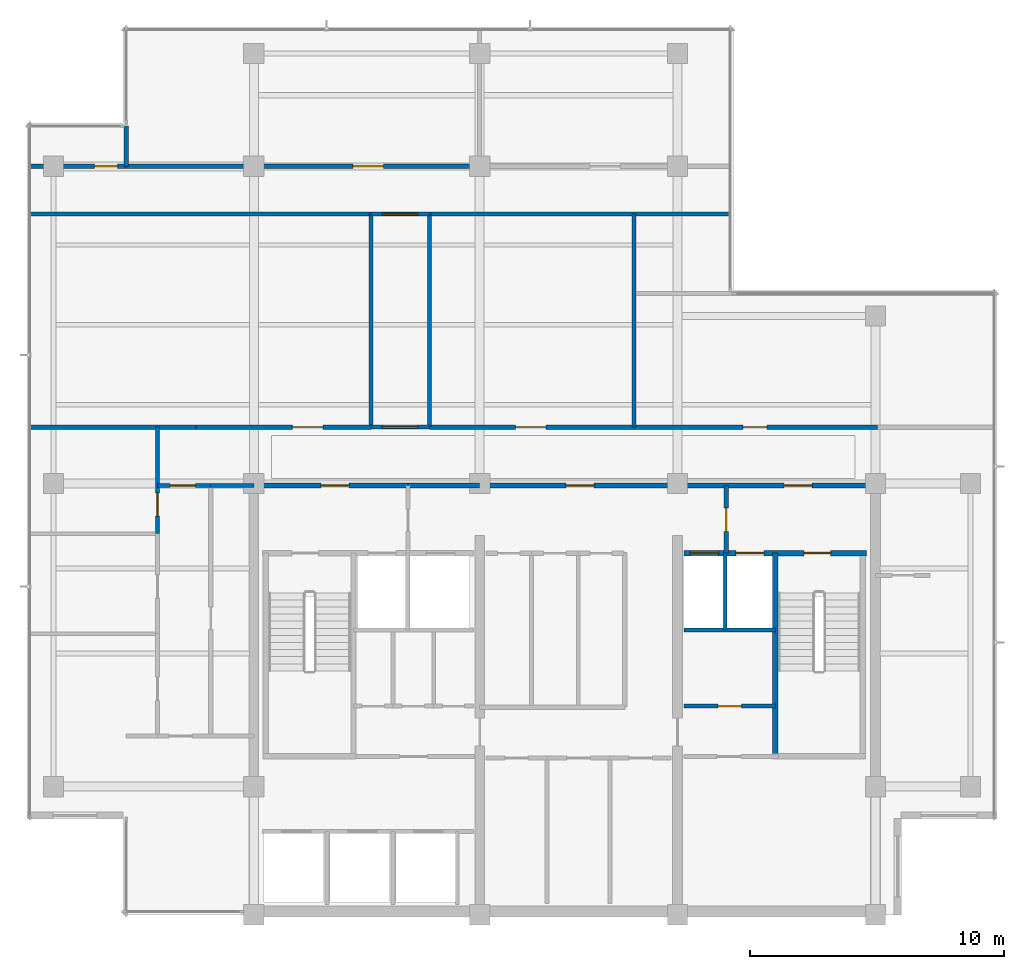
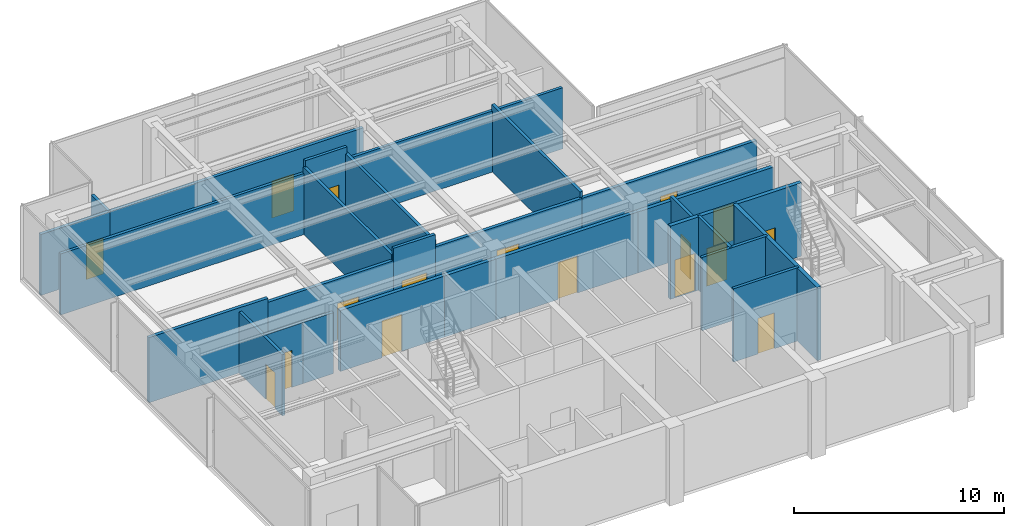
# One storey, part 7 of 11: 27 walls, 17 doors, 17 openings.
"""IFC4 building model written with IfcOpenShell, lengths in metres."""

from ifc_helpers import new_model, si_unit, direction, frame, frame_2d, origin, place, context, subcontext, project, spatial, rectangle, extrude, material, layer, layer_set, type_object, element, fill, save


model = new_model("IFC4")

# Units and contexts
model_context = context("Model", 3, precision=1e-05, world=origin(), true_north=direction((0.0, 1.0)))
body_context = subcontext(model_context, "Body", "Model", "MODEL_VIEW")
ifc_project = project(units=[si_unit("LENGTHUNIT", "METRE"), si_unit("AREAUNIT", "SQUARE_METRE"), si_unit("VOLUMEUNIT", "CUBIC_METRE"), si_unit("PLANEANGLEUNIT", "RADIAN"), si_unit("MASSUNIT", "GRAM", prefix="KILO")], contexts=[model_context])

# Site, building, storey
site_placement = place(None, origin())
site = spatial("IfcSite", under=ifc_project, at=site_placement, CompositionType="ELEMENT")
building_placement = place(site_placement, origin())
building = spatial("IfcBuilding", under=site, at=building_placement, Name="Qalmaran Belvedere Hotel", CompositionType="ELEMENT")
storey_placement = place(building_placement, frame((0.0, 0.0, 280.89990234375)))
storey = spatial("IfcBuildingStorey", under=building, at=storey_placement, Name="L73", CompositionType="ELEMENT", Elevation=280.89990234375)

# Wall
ifc_material_1 = material(Name="Gypsum Stud Partition")
ifc_layer_1 = layer(ifc_material_1, 0.14990234375, Name="Gypsum Stud Partition")
ifc_layer_set_1 = layer_set([ifc_layer_1], Name="Gypsum Stud Partition")
wall_type_1 = type_object("IfcWallType", Name="WL-INT-150-EI120", PredefinedType="PARTITIONING", material=ifc_layer_set_1)
wall_1_placement = place(storey_placement, frame((38.8798828125, 14.719970703125, 0.0), z_axis=(0.0, 0.0, 1.0), x_axis=(0.0, 1.0, 0.0)))
element("IfcWall", 1, at=wall_1_placement, inside=storey, type_object=wall_type_1, Name="L73 Partition WL-FF2M-L73", PredefinedType="PARTITIONING", context=body_context, shape_type="SweptSolid", body=[
    extrude(rectangle(XDim=3.0400390625, YDim=0.14990234375, at=frame_2d((1.52001953125, 0.0))), origin(), (0.0, 0.0, 1.0), 4.260009765625),
])

# Wall, opening, door
ifc_layer_2 = layer(ifc_material_1, 0.159912109375, Name="Gypsum Stud Partition")
ifc_layer_set_2 = layer_set([ifc_layer_2], Name="Gypsum Stud Partition")
wall_type_2 = type_object("IfcWallType", Name="WL-INT-160-EI120", PredefinedType="PARTITIONING", material=ifc_layer_set_2)
wall_2_placement = place(storey_placement, frame((38.919921875, 17.760009765625, 0.0), z_axis=(0.0, 0.0, 1.0), x_axis=(0.0, 1.0, 0.0)))
wall_2 = element("IfcWall", 2, at=wall_2_placement, inside=storey, type_object=wall_type_2, Name="L73 Partition WL-FFSV2-L73", PredefinedType="PARTITIONING", context=body_context, shape_type="SweptSolid", body=[
    extrude(rectangle(XDim=2.659912109375, YDim=0.159912109375, at=frame_2d((1.330078125, 0.0))), origin(), (0.0, 0.0, 1.0), 3.781982421875),
])
opening_1_placement = place(wall_2_placement, frame((1.77001953125, 0.0, 0.0), z_axis=(0.0, 0.0, 1.0), x_axis=(-1.0, 0.0, 0.0)))
opening_1 = element("IfcOpeningElement", 3, at=opening_1_placement, cuts=wall_2, Name="Opening FD60S1", PredefinedType="OPENING", context=body_context, shape_type="SweptSolid", body=[
    extrude(rectangle(XDim=0.919921875, YDim=2.080078125, at=frame_2d((0.4599609375, 1.0400390625))), frame((0.0, 0.08984375, 0.0), z_axis=(0.0, -1.0, 0.0), x_axis=(1.0, 0.0, 0.0)), (0.0, 0.0, 1.0), 0.179931640625),
])
ifc_material_2 = material(Name="Engineered Oak Veneer")
door_type_1 = type_object("IfcDoorType", Name="DR-FD60S-920X2080", OperationType="NOTDEFINED", PredefinedType="DOOR", material=ifc_material_2)
door_1_placement = place(opening_1_placement, origin())
door_1 = element("IfcDoor", 4, at=door_1_placement, inside=storey, type_object=door_type_1, Name="L73 Service Lobby East Door", OperationType="SINGLE_SWING_LEFT", OverallHeight=2.080078125, OverallWidth=0.919921875, PredefinedType="DOOR", context=body_context, shape_type="SweptSolid", body=[
    extrude(rectangle(XDim=0.919921875, YDim=2.080078125, at=frame_2d((0.4599609375, 1.0400390625))), frame((0.0, 0.02490234375, 0.0), z_axis=(0.0, -1.0, 0.0), x_axis=(1.0, 0.0, 0.0)), (0.0, 0.0, 1.0), 0.050048828125),
])
fill(opening_1, door_1)

# Wall
wall_3_placement = place(storey_placement, frame((37.25, 14.719970703125, 0.0), z_axis=(0.0, 0.0, 1.0), x_axis=(1.0, 0.0, 0.0)))
element("IfcWall", 5, at=wall_3_placement, inside=storey, type_object=wall_type_2, Name="L73 Partition WL-FF2S-L73", PredefinedType="PARTITIONING", context=body_context, shape_type="SweptSolid", body=[
    extrude(rectangle(XDim=3.610107421875, YDim=0.159912109375, at=frame_2d((1.80517578125, 0.0))), origin(), (0.0, 0.0, 1.0), 4.260009765625),
])

# Wall, opening, door
ifc_layer_3 = layer(ifc_material_1, 0.159912109375, Name="Gypsum Stud Partition")
ifc_layer_set_3 = layer_set([ifc_layer_3], Name="Gypsum Stud Partition")
wall_type_3 = type_object("IfcWallType", Name="WL-INT-160-EI60", PredefinedType="PARTITIONING", material=ifc_layer_set_3)
wall_4_placement = place(storey_placement, frame((37.25, 11.719970703125, 0.0), z_axis=(0.0, 0.0, 1.0), x_axis=(1.0, 0.0, 0.0)))
wall_4 = element("IfcWall", 6, at=wall_4_placement, inside=storey, type_object=wall_type_3, Name="L73 Partition WL-L73-KEE1", PredefinedType="PARTITIONING", context=body_context, shape_type="SweptSolid", body=[
    extrude(rectangle(XDim=3.610107421875, YDim=0.159912109375, at=frame_2d((1.80517578125, 0.0))), origin(), (0.0, 0.0, 1.0), 4.260009765625),
])
opening_2_placement = place(wall_4_placement, frame((1.344970703125, 0.0, 0.0)))
opening_2 = element("IfcOpeningElement", 7, at=opening_2_placement, cuts=wall_4, Name="Opening FD60S1", PredefinedType="OPENING", context=body_context, shape_type="SweptSolid", body=[
    extrude(rectangle(XDim=0.919921875, YDim=2.080078125, at=frame_2d((0.4599609375, 1.0400390625))), frame((0.0, 0.08984375, 0.0), z_axis=(0.0, -1.0, 0.0), x_axis=(1.0, 0.0, 0.0)), (0.0, 0.0, 1.0), 0.179931640625),
])
door_2_placement = place(opening_2_placement, origin())
door_2 = element("IfcDoor", 8, at=door_2_placement, inside=storey, type_object=door_type_1, Name="L73 Guest Ice and Beverage Pantry Door", OperationType="SINGLE_SWING_RIGHT", OverallHeight=2.080078125, OverallWidth=0.919921875, PredefinedType="DOOR", context=body_context, shape_type="SweptSolid", body=[
    extrude(rectangle(XDim=0.919921875, YDim=2.080078125, at=frame_2d((0.4599609375, 1.0400390625))), frame((0.0, 0.02490234375, 0.0), z_axis=(0.0, -1.0, 0.0), x_axis=(1.0, 0.0, 0.0)), (0.0, 0.0, 1.0), 0.050048828125),
])
fill(opening_2, door_2)

wall_5_placement = place(storey_placement, frame((16.5, 18.52001953125, 0.0), z_axis=(0.0, 0.0, 1.0), x_axis=(0.0, 1.0, 0.0)))
wall_5 = element("IfcWall", 9, at=wall_5_placement, inside=storey, type_object=wall_type_3, Name="L73 Partition WL-L73-WCC3", PredefinedType="PARTITIONING", context=body_context, shape_type="SweptSolid", body=[
    extrude(rectangle(XDim=4.199951171875, YDim=0.159912109375, at=frame_2d((2.10009765625, 0.0))), origin(), (0.0, 0.0, 1.0), 3.550048828125),
])
opening_3_placement = place(wall_5_placement, frame((0.693359375, 0.0, 0.0)))
opening_3 = element("IfcOpeningElement", 10, at=opening_3_placement, cuts=wall_5, Name="Opening FD60S1", PredefinedType="OPENING", context=body_context, shape_type="SweptSolid", body=[
    extrude(rectangle(XDim=0.919921875, YDim=2.080078125, at=frame_2d((0.4599609375, 1.0400390625))), frame((0.0, 0.08984375, 0.0), z_axis=(0.0, -1.0, 0.0), x_axis=(1.0, 0.0, 0.0)), (0.0, 0.0, 1.0), 0.179931640625),
])
door_3_placement = place(opening_3_placement, origin())
door_3 = element("IfcDoor", 11, at=door_3_placement, inside=storey, type_object=door_type_1, Name="L73 Accessible WC Door", OperationType="SINGLE_SWING_RIGHT", OverallHeight=2.080078125, OverallWidth=0.919921875, PredefinedType="DOOR", context=body_context, shape_type="SweptSolid", body=[
    extrude(rectangle(XDim=0.919921875, YDim=2.080078125, at=frame_2d((0.4599609375, 1.0400390625))), frame((0.0, 0.02490234375, 0.0), z_axis=(0.0, -1.0, 0.0), x_axis=(1.0, 0.0, 0.0)), (0.0, 0.0, 1.0), 0.050048828125),
])
fill(opening_3, door_3)

# Wall
wall_6_placement = place(storey_placement, frame((18.60009765625, 20.419921875, 0.0), z_axis=(0.0, 0.0, 1.0), x_axis=(1.0, 0.0, 0.0)))
element("IfcWall", 12, at=wall_6_placement, inside=storey, type_object=wall_type_3, Name="L73 Partition WL-L73-WCCEN", PredefinedType="PARTITIONING", context=body_context, shape_type="SweptSolid", body=[
    extrude(rectangle(XDim=1.699951171875, YDim=0.159912109375, at=frame_2d((0.85009765625, 0.0))), origin(), (0.0, 0.0, 1.0), 3.550048828125),
])

# Wall, opening, door
wall_7_placement = place(storey_placement, frame((16.5, 20.419921875, 0.0), z_axis=(0.0, 0.0, 1.0), x_axis=(1.0, 0.0, 0.0)))
wall_7 = element("IfcWall", 13, at=wall_7_placement, inside=storey, type_object=wall_type_3, Name="L73 Partition WL-L73-XCRW", PredefinedType="PARTITIONING", context=body_context, shape_type="SweptSolid", body=[
    extrude(rectangle(XDim=2.10009765625, YDim=0.159912109375, at=frame_2d((1.050048828125, 0.0))), origin(), (0.0, 0.0, 1.0), 3.550048828125),
])
opening_4_placement = place(wall_7_placement, frame((0.5, 0.0, 0.0)))
opening_4 = element("IfcOpeningElement", 14, at=opening_4_placement, cuts=wall_7, Name="Opening FD90B", PredefinedType="OPENING", context=body_context, shape_type="SweptSolid", body=[
    extrude(rectangle(XDim=1.0, YDim=2.14990234375, at=frame_2d((0.5, 1.074951171875))), frame((0.0, 0.08984375, 0.0), z_axis=(0.0, -1.0, 0.0), x_axis=(1.0, 0.0, 0.0)), (0.0, 0.0, 1.0), 0.179931640625),
])
ifc_material_3 = material(Name="Steel S355JR", Category="steel")
door_type_2 = type_object("IfcDoorType", Name="DR-FD90B-1000X2150", OperationType="NOTDEFINED", PredefinedType="DOOR", material=ifc_material_3)
door_4_placement = place(opening_4_placement, origin())
door_4 = element("IfcDoor", 15, at=door_4_placement, inside=storey, type_object=door_type_2, Name="L73 Restroom Corridor Door", OperationType="SINGLE_SWING_RIGHT", OverallHeight=2.14990234375, OverallWidth=1.0, PredefinedType="DOOR", context=body_context, shape_type="SweptSolid", body=[
    extrude(rectangle(XDim=1.0, YDim=2.14990234375, at=frame_2d((0.5, 1.074951171875))), frame((0.0, 0.02490234375, 0.0), z_axis=(0.0, -1.0, 0.0), x_axis=(1.0, 0.0, 0.0)), (0.0, 0.0, 1.0), 0.050048828125),
])
fill(opening_4, door_4)

# Walls
wall_8_placement = place(storey_placement, frame((15.27001953125, 33.0, 0.0), z_axis=(0.0, 0.0, 1.0), x_axis=(0.0, 1.0, 0.0)))
element("IfcWall", 16, at=wall_8_placement, inside=storey, type_object=wall_type_3, Name="L73 Partition WL-L73-VNWE", PredefinedType="PARTITIONING", context=body_context, shape_type="SweptSolid", body=[
    extrude(rectangle(XDim=1.580078125, YDim=0.159912109375, at=frame_2d((0.7900390625, 0.0))), origin(), (0.0, 0.0, 1.0), 3.550048828125),
])
for number, where, z_axis, x_axis, name in (
    (17, (24.919921875, 22.719970703125, 0.0), (0.0, 0.0, 1.0), (0.0, 1.0, 0.0), "L73 Partition WL-L73-NPW"),
    (18, (27.219970703125, 22.719970703125, 0.0), (0.0, 0.0, 1.0), (0.0, 1.0, 0.0), "L73 Partition WL-L73-NPE"),
):
    element("IfcWall", number, at=place(storey_placement, frame(where, z_axis=z_axis, x_axis=x_axis)), inside=storey, type_object=wall_type_3, Name=name, PredefinedType="PARTITIONING", context=body_context, shape_type="SweptSolid", body=[
        extrude(rectangle(XDim=8.400146484375, YDim=0.159912109375, at=frame_2d((4.2001953125, 0.0))), origin(), (0.0, 0.0, 1.0), 3.88720703125),
    ])

# Wall, opening, door
wall_9_placement = place(storey_placement, frame((24.919921875, 22.719970703125, 0.0), z_axis=(0.0, 0.0, 1.0), x_axis=(1.0, 0.0, 0.0)))
wall_9 = element("IfcWall", 19, at=wall_9_placement, inside=storey, type_object=wall_type_3, Name="L73 Partition WL-L73-XNPS", PredefinedType="PARTITIONING", context=body_context, shape_type="SweptSolid", body=[
    extrude(rectangle(XDim=2.300048828125, YDim=0.159912109375, at=frame_2d((1.14990234375, 0.0))), origin(), (0.0, 0.0, 1.0), 4.260009765625),
])
opening_5_placement = place(wall_9_placement, frame((0.449951171875, 0.0, 0.0)))
opening_5 = element("IfcOpeningElement", 20, at=opening_5_placement, cuts=wall_9, Name="Opening FD90D", PredefinedType="OPENING", context=body_context, shape_type="SweptSolid", body=[
    extrude(rectangle(XDim=1.39990234375, YDim=2.199951171875, at=frame_2d((0.699951171875, 1.10009765625))), frame((0.0, 0.08984375, 0.0), z_axis=(0.0, -1.0, 0.0), x_axis=(1.0, 0.0, 0.0)), (0.0, 0.0, 1.0), 0.179931640625),
])
door_type_3 = type_object("IfcDoorType", Name="DR-FD90D-1400X2200", OperationType="NOTDEFINED", PredefinedType="DOOR", material=ifc_material_3)
door_5_placement = place(opening_5_placement, origin())
door_5 = element("IfcDoor", 21, at=door_5_placement, inside=storey, type_object=door_type_3, Name="L73 Promenade South Door", OperationType="DOUBLE_DOOR_SINGLE_SWING", OverallHeight=2.199951171875, OverallWidth=1.39990234375, PredefinedType="DOOR", context=body_context, shape_type="SweptSolid", body=[
    extrude(rectangle(XDim=1.39990234375, YDim=2.199951171875, at=frame_2d((0.699951171875, 1.10009765625))), frame((0.0, 0.02490234375, 0.0), z_axis=(0.0, -1.0, 0.0), x_axis=(1.0, 0.0, 0.0)), (0.0, 0.0, 1.0), 0.050048828125),
])
fill(opening_5, door_5)

wall_10_placement = place(storey_placement, frame((24.919921875, 31.1201171875, 0.0), z_axis=(0.0, 0.0, 1.0), x_axis=(1.0, 0.0, 0.0)))
wall_10 = element("IfcWall", 22, at=wall_10_placement, inside=storey, type_object=wall_type_3, Name="L73 Partition WL-L73-XNPN", PredefinedType="PARTITIONING", context=body_context, shape_type="SweptSolid", body=[
    extrude(rectangle(XDim=2.300048828125, YDim=0.159912109375, at=frame_2d((1.14990234375, 0.0))), origin(), (0.0, 0.0, 1.0), 4.260009765625),
])
opening_6_placement = place(wall_10_placement, frame((0.449951171875, 0.0, 0.0)))
opening_6 = element("IfcOpeningElement", 23, at=opening_6_placement, cuts=wall_10, Name="Opening FD90D", PredefinedType="OPENING", context=body_context, shape_type="SweptSolid", body=[
    extrude(rectangle(XDim=1.39990234375, YDim=2.199951171875, at=frame_2d((0.699951171875, 1.10009765625))), frame((0.0, 0.08984375, 0.0), z_axis=(0.0, -1.0, 0.0), x_axis=(1.0, 0.0, 0.0)), (0.0, 0.0, 1.0), 0.179931640625),
])
door_6_placement = place(opening_6_placement, origin())
door_6 = element("IfcDoor", 24, at=door_6_placement, inside=storey, type_object=door_type_3, Name="L73 Promenade North Door", OperationType="DOUBLE_DOOR_SINGLE_SWING", OverallHeight=2.199951171875, OverallWidth=1.39990234375, PredefinedType="DOOR", context=body_context, shape_type="SweptSolid", body=[
    extrude(rectangle(XDim=1.39990234375, YDim=2.199951171875, at=frame_2d((0.699951171875, 1.10009765625))), frame((0.0, 0.02490234375, 0.0), z_axis=(0.0, -1.0, 0.0), x_axis=(1.0, 0.0, 0.0)), (0.0, 0.0, 1.0), 0.050048828125),
])
fill(opening_6, door_6)

# Walls
wall_11_placement = place(storey_placement, frame((11.469970703125, 31.1201171875, 0.0), z_axis=(0.0, 0.0, 1.0), x_axis=(1.0, 0.0, 0.0)))
element("IfcWall", 25, at=wall_11_placement, inside=storey, type_object=wall_type_3, Name="L73 Partition WL-L73-NGS1", PredefinedType="PARTITIONING", context=body_context, shape_type="SweptSolid", body=[
    extrude(rectangle(XDim=13.449951171875, YDim=0.159912109375, at=frame_2d((6.72509765625, 0.0))), origin(), (0.0, 0.0, 1.0), 3.550048828125),
])
wall_12_placement = place(storey_placement, frame((27.219970703125, 31.1201171875, 0.0), z_axis=(0.0, 0.0, 1.0), x_axis=(1.0, 0.0, 0.0)))
element("IfcWall", 26, at=wall_12_placement, inside=storey, type_object=wall_type_3, Name="L73 Partition WL-L73-NGS2", PredefinedType="PARTITIONING", context=body_context, shape_type="SweptSolid", body=[
    extrude(rectangle(XDim=11.860107421875, YDim=0.159912109375, at=frame_2d((5.93017578125, 0.0))), origin(), (0.0, 0.0, 1.0), 3.550048828125),
])
wall_13_placement = place(storey_placement, frame((35.280029296875, 22.719970703125, 0.0), z_axis=(0.0, 0.0, 1.0), x_axis=(0.0, 1.0, 0.0)))
element("IfcWall", 27, at=wall_13_placement, inside=storey, type_object=wall_type_3, Name="L73 Partition WL-L73-MCV", PredefinedType="PARTITIONING", context=body_context, shape_type="SweptSolid", body=[
    extrude(rectangle(XDim=8.400146484375, YDim=0.159912109375, at=frame_2d((4.2001953125, 0.0))), origin(), (0.0, 0.0, 1.0), 3.88720703125),
])
ifc_layer_4 = layer(ifc_material_1, 0.179931640625, Name="Gypsum Stud Partition")
ifc_layer_set_4 = layer_set([ifc_layer_4], Name="Gypsum Stud Partition")
wall_type_4 = type_object("IfcWallType", Name="WL-INT-180-EI60", PredefinedType="PARTITIONING", material=ifc_layer_set_4)
wall_14_placement = place(storey_placement, frame((11.469970703125, 22.719970703125, 0.0), z_axis=(0.0, 0.0, 1.0), x_axis=(1.0, 0.0, 0.0)))
element("IfcWall", 28, at=wall_14_placement, inside=storey, type_object=wall_type_4, Name="L73 Partition WL-L73-WCN", PredefinedType="PARTITIONING", context=body_context, shape_type="SweptSolid", body=[
    extrude(rectangle(XDim=6.550048828125, YDim=0.179931640625, at=frame_2d((3.27490234375, 0.0))), origin(), (0.0, 0.0, 1.0), 3.781982421875),
])

# Wall, opening, door
wall_15_placement = place(storey_placement, frame((11.469970703125, 33.0, 0.0), z_axis=(0.0, 0.0, 1.0), x_axis=(1.0, 0.0, 0.0)))
wall_15 = element("IfcWall", 29, at=wall_15_placement, inside=storey, type_object=wall_type_4, Name="L73 Partition WL-L73-VNWS", PredefinedType="PARTITIONING", context=body_context, shape_type="SweptSolid", body=[
    extrude(rectangle(XDim=3.800048828125, YDim=0.179931640625, at=frame_2d((1.89990234375, 0.0))), origin(), (0.0, 0.0, 1.0), 3.550048828125),
])
opening_7_placement = place(wall_15_placement, frame((2.543701171875, 0.0, 0.0)))
opening_7 = element("IfcOpeningElement", 30, at=opening_7_placement, cuts=wall_15, Name="Opening FD60S1", PredefinedType="OPENING", context=body_context, shape_type="SweptSolid", body=[
    extrude(rectangle(XDim=0.919921875, YDim=2.080078125, at=frame_2d((0.4599609375, 1.0400390625))), frame((0.0, 0.10009765625, 0.0), z_axis=(0.0, -1.0, 0.0), x_axis=(1.0, 0.0, 0.0)), (0.0, 0.0, 1.0), 0.199951171875),
])
door_7_placement = place(opening_7_placement, origin())
door_7 = element("IfcDoor", 31, at=door_7_placement, inside=storey, type_object=door_type_1, Name="L73 NW Sky Salon Door", OperationType="SINGLE_SWING_RIGHT", OverallHeight=2.080078125, OverallWidth=0.919921875, PredefinedType="DOOR", context=body_context, shape_type="SweptSolid", body=[
    extrude(rectangle(XDim=0.919921875, YDim=2.080078125, at=frame_2d((0.4599609375, 1.0400390625))), frame((0.0, 0.02490234375, 0.0), z_axis=(0.0, -1.0, 0.0), x_axis=(1.0, 0.0, 0.0)), (0.0, 0.0, 1.0), 0.050048828125),
])
fill(opening_7, door_7)

wall_16_placement = place(storey_placement, frame((18.02001953125, 22.719970703125, 0.0), z_axis=(0.0, 0.0, 1.0), x_axis=(1.0, 0.0, 0.0)))
wall_16 = element("IfcWall", 32, at=wall_16_placement, inside=storey, type_object=wall_type_4, Name="L73 Partition WL-L73-MCS1", PredefinedType="PARTITIONING", context=body_context, shape_type="SweptSolid", body=[
    extrude(rectangle(XDim=6.89990234375, YDim=0.179931640625, at=frame_2d((3.449951171875, 0.0))), origin(), (0.0, 0.0, 1.0), 3.550048828125),
])
opening_8_placement = place(wall_16_placement, frame((3.800048828125, 0.0, 0.0)))
opening_8 = element("IfcOpeningElement", 33, at=opening_8_placement, cuts=wall_16, Name="Opening FD60P", PredefinedType="OPENING", context=body_context, shape_type="SweptSolid", body=[
    extrude(rectangle(XDim=1.199951171875, YDim=2.139892578125, at=frame_2d((0.60009765625, 1.06982421875))), frame((0.0, 0.10009765625, 0.0), z_axis=(0.0, -1.0, 0.0), x_axis=(1.0, 0.0, 0.0)), (0.0, 0.0, 1.0), 0.199951171875),
])
door_type_4 = type_object("IfcDoorType", Name="DR-FD60P-1200X2140", OperationType="NOTDEFINED", PredefinedType="DOOR", material=ifc_material_2)
door_8_placement = place(opening_8_placement, origin())
door_8 = element("IfcDoor", 34, at=door_8_placement, inside=storey, type_object=door_type_4, Name="L73 Sky Cocktail Lounge Bar Door", OperationType="DOUBLE_DOOR_SINGLE_SWING", OverallHeight=2.139892578125, OverallWidth=1.199951171875, PredefinedType="DOOR", context=body_context, shape_type="SweptSolid", body=[
    extrude(rectangle(XDim=1.199951171875, YDim=2.139892578125, at=frame_2d((0.60009765625, 1.06982421875))), frame((0.0, 0.02490234375, 0.0), z_axis=(0.0, -1.0, 0.0), x_axis=(1.0, 0.0, 0.0)), (0.0, 0.0, 1.0), 0.050048828125),
])
fill(opening_8, door_8)

wall_17_placement = place(storey_placement, frame((27.219970703125, 22.719970703125, 0.0), z_axis=(0.0, 0.0, 1.0), x_axis=(1.0, 0.0, 0.0)))
wall_17 = element("IfcWall", 35, at=wall_17_placement, inside=storey, type_object=wall_type_4, Name="L73 Partition WL-L73-MCS2A", PredefinedType="PARTITIONING", context=body_context, shape_type="SweptSolid", body=[
    extrude(rectangle(XDim=8.06005859375, YDim=0.179931640625, at=frame_2d((4.030029296875, 0.0))), origin(), (0.0, 0.0, 1.0), 3.550048828125),
])
opening_9_placement = place(wall_17_placement, frame((3.389892578125, 0.0, 0.0)))
opening_9 = element("IfcOpeningElement", 36, at=opening_9_placement, cuts=wall_17, Name="Opening FD60P", PredefinedType="OPENING", context=body_context, shape_type="SweptSolid", body=[
    extrude(rectangle(XDim=1.199951171875, YDim=2.139892578125, at=frame_2d((0.60009765625, 1.06982421875))), frame((0.0, 0.10009765625, 0.0), z_axis=(0.0, -1.0, 0.0), x_axis=(1.0, 0.0, 0.0)), (0.0, 0.0, 1.0), 0.199951171875),
])
door_9_placement = place(opening_9_placement, origin())
door_9 = element("IfcDoor", 37, at=door_9_placement, inside=storey, type_object=door_type_4, Name="L73 Chef Private Dining Hall Door", OperationType="DOUBLE_DOOR_SINGLE_SWING", OverallHeight=2.139892578125, OverallWidth=1.199951171875, PredefinedType="DOOR", context=body_context, shape_type="SweptSolid", body=[
    extrude(rectangle(XDim=1.199951171875, YDim=2.139892578125, at=frame_2d((0.60009765625, 1.06982421875))), frame((0.0, 0.02490234375, 0.0), z_axis=(0.0, -1.0, 0.0), x_axis=(1.0, 0.0, 0.0)), (0.0, 0.0, 1.0), 0.050048828125),
])
fill(opening_9, door_9)

wall_18_placement = place(storey_placement, frame((35.280029296875, 22.719970703125, 0.0), z_axis=(0.0, 0.0, 1.0), x_axis=(1.0, 0.0, 0.0)))
wall_18 = element("IfcWall", 38, at=wall_18_placement, inside=storey, type_object=wall_type_4, Name="L73 Partition WL-L73-MCS2B", PredefinedType="PARTITIONING", context=body_context, shape_type="SweptSolid", body=[
    extrude(rectangle(XDim=9.599853515625, YDim=0.179931640625, at=frame_2d((4.7998046875, 0.0))), origin(), (0.0, 0.0, 1.0), 3.550048828125),
])
opening_10_placement = place(wall_18_placement, frame((4.2900390625, 0.0, 0.0)))
opening_10 = element("IfcOpeningElement", 39, at=opening_10_placement, cuts=wall_18, Name="Opening FD60", PredefinedType="OPENING", context=body_context, shape_type="SweptSolid", body=[
    extrude(rectangle(XDim=0.949951171875, YDim=2.14990234375, at=frame_2d((0.47509765625, 1.074951171875))), frame((0.0, 0.10009765625, 0.0), z_axis=(0.0, -1.0, 0.0), x_axis=(1.0, 0.0, 0.0)), (0.0, 0.0, 1.0), 0.199951171875),
])
door_type_5 = type_object("IfcDoorType", Name="DR-FD60-950X2150", OperationType="NOTDEFINED", PredefinedType="DOOR", material=ifc_material_2)
door_10_placement = place(opening_10_placement, origin())
door_10 = element("IfcDoor", 40, at=door_10_placement, inside=storey, type_object=door_type_5, Name="L73 East Lounge Door", OperationType="SINGLE_SWING_LEFT", OverallHeight=2.14990234375, OverallWidth=0.949951171875, PredefinedType="DOOR", context=body_context, shape_type="SweptSolid", body=[
    extrude(rectangle(XDim=0.949951171875, YDim=2.14990234375, at=frame_2d((0.47509765625, 1.074951171875))), frame((0.0, 0.02490234375, 0.0), z_axis=(0.0, -1.0, 0.0), x_axis=(1.0, 0.0, 0.0)), (0.0, 0.0, 1.0), 0.050048828125),
])
fill(opening_10, door_10)

wall_19_placement = place(storey_placement, frame((15.27001953125, 33.0, 0.0), z_axis=(0.0, 0.0, 1.0), x_axis=(1.0, 0.0, 0.0)))
wall_19 = element("IfcWall", 41, at=wall_19_placement, inside=storey, type_object=wall_type_4, Name="L73 Partition WL-L73-NF33D1", PredefinedType="PARTITIONING", context=body_context, shape_type="SweptSolid", body=[
    extrude(rectangle(XDim=13.929931640625, YDim=0.179931640625, at=frame_2d((6.96484375, 0.0))), origin(), (0.0, 0.0, 1.0), 3.550048828125),
])
opening_11_placement = place(wall_19_placement, frame((8.930419921875, 0.0, 0.0)))
opening_11 = element("IfcOpeningElement", 42, at=opening_11_placement, cuts=wall_19, Name="Opening FD60P", PredefinedType="OPENING", context=body_context, shape_type="SweptSolid", body=[
    extrude(rectangle(XDim=1.199951171875, YDim=2.139892578125, at=frame_2d((0.60009765625, 1.06982421875))), frame((0.0, 0.10009765625, 0.0), z_axis=(0.0, -1.0, 0.0), x_axis=(1.0, 0.0, 0.0)), (0.0, 0.0, 1.0), 0.199951171875),
])
door_11_placement = place(opening_11_placement, origin())
door_11 = element("IfcDoor", 43, at=door_11_placement, inside=storey, type_object=door_type_4, Name="L73 Belvedere Sky Restaurant Door", OperationType="DOUBLE_DOOR_SINGLE_SWING", OverallHeight=2.139892578125, OverallWidth=1.199951171875, PredefinedType="DOOR", context=body_context, shape_type="SweptSolid", body=[
    extrude(rectangle(XDim=1.199951171875, YDim=2.139892578125, at=frame_2d((0.60009765625, 1.06982421875))), frame((0.0, 0.02490234375, 0.0), z_axis=(0.0, -1.0, 0.0), x_axis=(1.0, 0.0, 0.0)), (0.0, 0.0, 1.0), 0.050048828125),
])
fill(opening_11, door_11)

ifc_material_4 = material(Name="Concrete C30/37 Blockwork", Category="masonry")
ifc_layer_5 = layer(ifc_material_4, 0.199951171875, Name="Concrete C30/37 Blockwork")
ifc_layer_set_5 = layer_set([ifc_layer_5], Name="Concrete C30/37 Blockwork")
wall_type_5 = type_object("IfcWallType", Name="WL-INT-200-EI120", PredefinedType="PARTITIONING", material=ifc_layer_set_5)
wall_20_placement = place(storey_placement, frame((20.64990234375, 20.419921875, 0.0), z_axis=(0.0, 0.0, 1.0), x_axis=(1.0, 0.0, 0.0)))
wall_20 = element("IfcWall", 44, at=wall_20_placement, inside=storey, type_object=wall_type_5, Name="L73 Partition WL-CN1A-L73", PredefinedType="PARTITIONING", context=body_context, shape_type="SweptSolid", body=[
    extrude(rectangle(XDim=5.72998046875, YDim=0.199951171875, at=frame_2d((2.864990234375, 0.0))), origin(), (0.0, 0.0, 1.0), 3.550048828125),
])
opening_12_placement = place(wall_20_placement, frame((2.300048828125, 0.0, 0.0)))
opening_12 = element("IfcOpeningElement", 45, at=opening_12_placement, cuts=wall_20, Name="Opening FD90", PredefinedType="OPENING", context=body_context, shape_type="SweptSolid", body=[
    extrude(rectangle(XDim=1.10009765625, YDim=2.14990234375, at=frame_2d((0.550048828125, 1.074951171875))), frame((0.0, 0.10986328125, 0.0), z_axis=(0.0, -1.0, 0.0), x_axis=(1.0, 0.0, 0.0)), (0.0, 0.0, 1.0), 0.219970703125),
])
door_type_6 = type_object("IfcDoorType", Name="DR-FD90-1100X2150", OperationType="NOTDEFINED", PredefinedType="DOOR", material=ifc_material_3)
door_12_placement = place(opening_12_placement, origin())
door_12 = element("IfcDoor", 46, at=door_12_placement, inside=storey, type_object=door_type_6, Name="L73 FF1 Lobby Corridor Door", OperationType="SINGLE_SWING_RIGHT", OverallHeight=2.14990234375, OverallWidth=1.10009765625, PredefinedType="DOOR", context=body_context, shape_type="SweptSolid", body=[
    extrude(rectangle(XDim=1.10009765625, YDim=2.14990234375, at=frame_2d((0.550048828125, 1.074951171875))), frame((0.0, 0.02490234375, 0.0), z_axis=(0.0, -1.0, 0.0), x_axis=(1.0, 0.0, 0.0)), (0.0, 0.0, 1.0), 0.050048828125),
])
fill(opening_12, door_12)

# Wall
wall_21_placement = place(storey_placement, frame((26.3798828125, 20.419921875, 0.0), z_axis=(0.0, 0.0, 1.0), x_axis=(1.0, 0.0, 0.0)))
element("IfcWall", 47, at=wall_21_placement, inside=storey, type_object=wall_type_5, Name="L73 Partition WL-CN1B-L73", PredefinedType="PARTITIONING", context=body_context, shape_type="SweptSolid", body=[
    extrude(rectangle(XDim=2.820068359375, YDim=0.199951171875, at=frame_2d((1.41015625, 0.0))), origin(), (0.0, 0.0, 1.0), 3.550048828125),
])

# Wall, opening, door
wall_22_placement = place(storey_placement, frame((29.199951171875, 20.419921875, 0.0), z_axis=(0.0, 0.0, 1.0), x_axis=(1.0, 0.0, 0.0)))
wall_22 = element("IfcWall", 48, at=wall_22_placement, inside=storey, type_object=wall_type_5, Name="L73 Partition WL-CN2-L73", PredefinedType="PARTITIONING", context=body_context, shape_type="SweptSolid", body=[
    extrude(rectangle(XDim=7.800048828125, YDim=0.199951171875, at=frame_2d((3.89990234375, 0.0))), origin(), (0.0, 0.0, 1.0), 3.550048828125),
])
opening_13_placement = place(wall_22_placement, frame((3.4091796875, 0.0, 0.0)))
opening_13 = element("IfcOpeningElement", 49, at=opening_13_placement, cuts=wall_22, Name="Opening FD90", PredefinedType="OPENING", context=body_context, shape_type="SweptSolid", body=[
    extrude(rectangle(XDim=1.10009765625, YDim=2.14990234375, at=frame_2d((0.550048828125, 1.074951171875))), frame((0.0, 0.10986328125, 0.0), z_axis=(0.0, -1.0, 0.0), x_axis=(1.0, 0.0, 0.0)), (0.0, 0.0, 1.0), 0.219970703125),
])
door_13_placement = place(opening_13_placement, origin())
door_13 = element("IfcDoor", 50, at=door_13_placement, inside=storey, type_object=door_type_6, Name="L73 Central Lift Lobby Door", OperationType="SINGLE_SWING_LEFT", OverallHeight=2.14990234375, OverallWidth=1.10009765625, PredefinedType="DOOR", context=body_context, shape_type="SweptSolid", body=[
    extrude(rectangle(XDim=1.10009765625, YDim=2.14990234375, at=frame_2d((0.550048828125, 1.074951171875))), frame((0.0, 0.02490234375, 0.0), z_axis=(0.0, -1.0, 0.0), x_axis=(1.0, 0.0, 0.0)), (0.0, 0.0, 1.0), 0.050048828125),
])
fill(opening_13, door_13)

wall_23_placement = place(storey_placement, frame((37.0, 20.419921875, 0.0), z_axis=(0.0, 0.0, 1.0), x_axis=(1.0, 0.0, 0.0)))
wall_23 = element("IfcWall", 51, at=wall_23_placement, inside=storey, type_object=wall_type_5, Name="L73 Partition WL-CN3-L73", PredefinedType="PARTITIONING", context=body_context, shape_type="SweptSolid", body=[
    extrude(rectangle(XDim=7.449951171875, YDim=0.199951171875, at=frame_2d((3.72509765625, 0.0))), origin(), (0.0, 0.0, 1.0), 3.550048828125),
])
opening_14_placement = place(wall_23_placement, frame((4.199951171875, 0.0, 0.0)))
opening_14 = element("IfcOpeningElement", 52, at=opening_14_placement, cuts=wall_23, Name="Opening FD90", PredefinedType="OPENING", context=body_context, shape_type="SweptSolid", body=[
    extrude(rectangle(XDim=1.10009765625, YDim=2.14990234375, at=frame_2d((0.550048828125, 1.074951171875))), frame((0.0, 0.10986328125, 0.0), z_axis=(0.0, -1.0, 0.0), x_axis=(1.0, 0.0, 0.0)), (0.0, 0.0, 1.0), 0.219970703125),
])
door_14_placement = place(opening_14_placement, origin())
door_14 = element("IfcDoor", 53, at=door_14_placement, inside=storey, type_object=door_type_6, Name="L73 FF2 Lobby Corridor Door", OperationType="SINGLE_SWING_RIGHT", OverallHeight=2.14990234375, OverallWidth=1.10009765625, PredefinedType="DOOR", context=body_context, shape_type="SweptSolid", body=[
    extrude(rectangle(XDim=1.10009765625, YDim=2.14990234375, at=frame_2d((0.550048828125, 1.074951171875))), frame((0.0, 0.02490234375, 0.0), z_axis=(0.0, -1.0, 0.0), x_axis=(1.0, 0.0, 0.0)), (0.0, 0.0, 1.0), 0.050048828125),
])
fill(opening_14, door_14)

# Wall
ifc_material_5 = material(Name="Concrete C50/60", Category="concrete")
ifc_layer_6 = layer(ifc_material_5, 0.2099609375, Name="Concrete C50/60")
ifc_layer_set_6 = layer_set([ifc_layer_6], Name="Concrete C50/60")
wall_type_6 = type_object("IfcWallType", Name="WL-STAIR-210-C50", PredefinedType="SHEAR", material=ifc_layer_set_6)
wall_24_placement = place(storey_placement, frame((40.85498046875, 9.7451171875, 0.0), z_axis=(0.0, 0.0, 1.0), x_axis=(0.0, 1.0, 0.0)))
element("IfcWall", 54, at=wall_24_placement, inside=storey, type_object=wall_type_6, Name="L73 Stair ST-2 West Bearing Wall", PredefinedType="SHEAR", context=body_context, shape_type="SweptSolid", body=[
    extrude(rectangle(XDim=8.009765625, YDim=0.2099609375, at=frame_2d((4.0048828125, 0.0))), origin(), (0.0, 0.0, 1.0), 4.260009765625),
])

# Wall, openings, doors
wall_25_placement = place(storey_placement, frame((37.25, 17.7548828125, 0.0), z_axis=(0.0, 0.0, 1.0), x_axis=(1.0, 0.0, 0.0)))
wall_25 = element("IfcWall", 55, at=wall_25_placement, inside=storey, type_object=wall_type_6, Name="L73 East Lobby and Stair ST-2 North Bearing Wall", PredefinedType="SHEAR", context=body_context, shape_type="SweptSolid", body=[
    extrude(rectangle(XDim=7.199951171875, YDim=0.2099609375, at=frame_2d((3.60009765625, 0.0))), origin(), (0.0, 0.0, 1.0), 4.260009765625),
])
opening_15_placement = place(wall_25_placement, frame((0.25, 0.0, 0.0)))
opening_15 = element("IfcOpeningElement", 56, at=opening_15_placement, cuts=wall_25, Name="Opening LD-SV", PredefinedType="OPENING", context=body_context, shape_type="SweptSolid", body=[
    extrude(rectangle(XDim=1.1201171875, YDim=2.199951171875, at=frame_2d((0.56005859375, 1.10009765625))), frame((0.0, 0.114990234375, 0.0), z_axis=(0.0, -1.0, 0.0), x_axis=(1.0, 0.0, 0.0)), (0.0, 0.0, 1.0), 0.22998046875),
])
opening_16_placement = place(wall_25_placement, frame((2.050048828125, 0.0, 0.0)))
opening_16 = element("IfcOpeningElement", 57, at=opening_16_placement, cuts=wall_25, Name="Opening LD-FF", PredefinedType="OPENING", context=body_context, shape_type="SweptSolid", body=[
    extrude(rectangle(XDim=1.10009765625, YDim=2.179931640625, at=frame_2d((0.550048828125, 1.08984375))), frame((0.0, 0.114990234375, 0.0), z_axis=(0.0, -1.0, 0.0), x_axis=(1.0, 0.0, 0.0)), (0.0, 0.0, 1.0), 0.22998046875),
])
opening_17_placement = place(wall_25_placement, frame((5.780029296875, 0.0, 0.0), z_axis=(0.0, 0.0, 1.0), x_axis=(-1.0, 0.0, 0.0)))
opening_17 = element("IfcOpeningElement", 58, at=opening_17_placement, cuts=wall_25, Name="Opening FD90S2", PredefinedType="OPENING", context=body_context, shape_type="SweptSolid", body=[
    extrude(rectangle(XDim=1.050048828125, YDim=2.14990234375, at=frame_2d((0.52490234375, 1.074951171875))), frame((0.0, 0.114990234375, 0.0), z_axis=(0.0, -1.0, 0.0), x_axis=(1.0, 0.0, 0.0)), (0.0, 0.0, 1.0), 0.22998046875),
])
door_type_7 = type_object("IfcDoorType", Name="DR-FD90S-1050X2150", OperationType="NOTDEFINED", PredefinedType="DOOR", material=ifc_material_3)
door_15_placement = place(opening_17_placement, origin())
door_15 = element("IfcDoor", 59, at=door_15_placement, inside=storey, type_object=door_type_7, Name="L73 Stair ST-2 Door", OperationType="SINGLE_SWING_LEFT", OverallHeight=2.14990234375, OverallWidth=1.050048828125, PredefinedType="DOOR", context=body_context, shape_type="SweptSolid", body=[
    extrude(rectangle(XDim=1.050048828125, YDim=2.14990234375, at=frame_2d((0.52490234375, 1.074951171875))), frame((0.0, 0.02490234375, 0.0), z_axis=(0.0, -1.0, 0.0), x_axis=(1.0, 0.0, 0.0)), (0.0, 0.0, 1.0), 0.050048828125),
])
fill(opening_17, door_15)
ifc_material_6 = material(Name="Stainless Steel 1.4401", Category="steel")
door_type_8 = type_object("IfcDoorType", Name="DR-LIFT-FF-1100X2180", OperationType="DOUBLE_DOOR_SLIDING", PredefinedType="DOOR", material=ifc_material_6)
door_16_placement = place(opening_16_placement, origin())
door_16 = element("IfcDoor", 60, at=door_16_placement, inside=storey, type_object=door_type_8, Name="L73 FF2 Lift Landing Door", OperationType="DOUBLE_DOOR_SLIDING", OverallHeight=2.179931640625, OverallWidth=1.10009765625, PredefinedType="DOOR", context=body_context, shape_type="SweptSolid", body=[
    extrude(rectangle(XDim=1.10009765625, YDim=2.179931640625, at=frame_2d((0.550048828125, 1.08984375))), frame((0.0, 0.02490234375, 0.0), z_axis=(0.0, -1.0, 0.0), x_axis=(1.0, 0.0, 0.0)), (0.0, 0.0, 1.0), 0.050048828125),
])
fill(opening_16, door_16)
door_type_9 = type_object("IfcDoorType", Name="DR-LIFT-SV-1120X2200", OperationType="DOUBLE_DOOR_SLIDING", PredefinedType="DOOR", material=ifc_material_6)
door_17_placement = place(opening_15_placement, origin())
door_17 = element("IfcDoor", 61, at=door_17_placement, inside=storey, type_object=door_type_9, Name="L73 SV2 Lift Landing Door", OperationType="DOUBLE_DOOR_SLIDING", OverallHeight=2.199951171875, OverallWidth=1.1201171875, PredefinedType="DOOR", context=body_context, shape_type="SweptSolid", body=[
    extrude(rectangle(XDim=1.1201171875, YDim=2.199951171875, at=frame_2d((0.56005859375, 1.10009765625))), frame((0.0, 0.02490234375, 0.0), z_axis=(0.0, -1.0, 0.0), x_axis=(1.0, 0.0, 0.0)), (0.0, 0.0, 1.0), 0.050048828125),
])
fill(opening_15, door_17)

save(model, "model.ifc")
